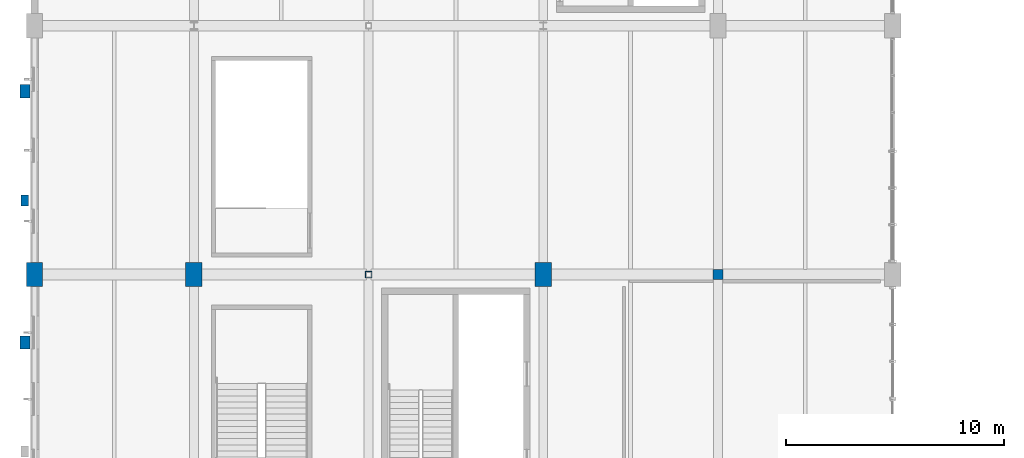
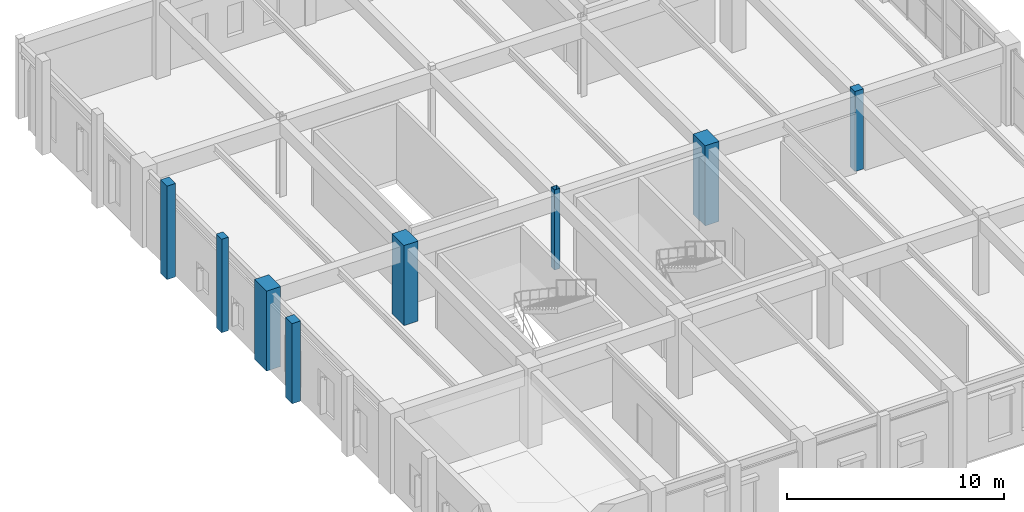
# One storey, part 2 of 48: 8 columns.
"""IFC4 building model written with IfcOpenShell, lengths in metres."""

from ifc_helpers import new_model, si_unit, direction, frame, origin, origin_2d, place, context, subcontext, project, spatial, rectangle, hollow_rectangle, extrude, material, material_profile, profile_set, type_object, element, save


model = new_model("IFC4")

# Units and contexts
model_context = context("Model", 3, precision=1e-05, world=origin(), true_north=direction((0.0, 1.0)))
body_context = subcontext(model_context, "Body", "Model", "MODEL_VIEW")
ifc_project = project(units=[si_unit("LENGTHUNIT", "METRE"), si_unit("AREAUNIT", "SQUARE_METRE"), si_unit("VOLUMEUNIT", "CUBIC_METRE"), si_unit("PLANEANGLEUNIT", "RADIAN"), si_unit("MASSUNIT", "GRAM", prefix="KILO"), si_unit("POWERUNIT", "WATT"), si_unit("THERMODYNAMICTEMPERATUREUNIT", "KELVIN")], contexts=[model_context])

# Site, building, storey
site_placement = place(None, origin())
site = spatial("IfcSite", under=ifc_project, at=site_placement, CompositionType="ELEMENT")
building_placement = place(site_placement, origin())
building = spatial("IfcBuilding", under=site, at=building_placement, Name="Kelmbourne Parkland Aquatics Centre", CompositionType="ELEMENT")
storey_placement = place(building_placement, frame((0.0, 0.0, 14.699951171875)))
storey = spatial("IfcBuildingStorey", under=building, at=storey_placement, Name="L03", CompositionType="ELEMENT", Elevation=14.699951171875)

# Columns
ifc_material_1 = material(Name="Concrete C40/50", Category="concrete")
ifc_material_profile_1 = material_profile(ifc_material_1, rectangle(XDim=0.75, YDim=1.10009765625, at=origin_2d()), Name="RC 750x1100")
ifc_profile_set_1 = profile_set([ifc_material_profile_1], Name="Concrete C40/50")
column_type_1 = type_object("IfcColumnType", Name="COL-C03", PredefinedType="COLUMN", material=ifc_profile_set_1)
for number, where, z_axis, x_axis, name in (
    (1, (0.699951171875, 23.60009765625, 0.0), (0.0, 0.0, 1.0), (1.0, 0.0, 0.0), "Structural column A-04 (L03)"),
    (2, (8.0, 23.60009765625, 0.0), (0.0, 0.0, 1.0), (1.0, 0.0, 0.0), "Structural column B-04 (L03)"),
    (3, (24.0, 23.60009765625, 0.0), (0.0, 0.0, 1.0), (1.0, 0.0, 0.0), "Structural column D-04 (L03)"),
):
    element("IfcColumn", number, at=place(storey_placement, frame(where, z_axis=z_axis, x_axis=x_axis)), inside=storey, type_object=column_type_1, Name=name, PredefinedType="COLUMN", context=body_context, shape_type="SweptSolid", body=[
        extrude(rectangle(XDim=0.75, YDim=1.10009765625, at=origin_2d()), origin(), (0.0, 0.0, 1.0), 4.5),
    ])
ifc_material_profile_2 = material_profile(ifc_material_1, rectangle(XDim=0.449951171875, YDim=0.449951171875, at=origin_2d()), Name="RC 450x450")
ifc_profile_set_2 = profile_set([ifc_material_profile_2], Name="Concrete C40/50")
column_type_2 = type_object("IfcColumnType", Name="COL-C08", PredefinedType="COLUMN", material=ifc_profile_set_2)
column_1_placement = place(storey_placement, frame((32.0, 23.60009765625, 0.0), z_axis=(0.0, 0.0, 1.0), x_axis=(1.0, 0.0, 0.0)))
element("IfcColumn", 4, at=column_1_placement, inside=storey, type_object=column_type_2, Name="Structural column E-04 (L03)", PredefinedType="COLUMN", context=body_context, shape_type="SweptSolid", body=[
    extrude(rectangle(XDim=0.449951171875, YDim=0.449951171875, at=origin_2d()), origin(), (0.0, 0.0, 1.0), 4.5),
])
ifc_material_2 = material(Name="Cold-formed hollow steel AS/NZS 1163 C350L0", Category="steel")
ifc_material_profile_3 = material_profile(ifc_material_2, hollow_rectangle(XDim=0.300048828125, YDim=0.300048828125, WallThickness=0.012451171875, at=origin_2d()), Name="SHS 300x300x12.5")
ifc_profile_set_3 = profile_set([ifc_material_profile_3], Name="Cold-formed hollow steel AS/NZS 1163 C350L0")
column_type_3 = type_object("IfcColumnType", Name="COL-C22", PredefinedType="COLUMN", material=ifc_profile_set_3)
column_2_placement = place(storey_placement, frame((16.0, 23.60009765625, 0.0), z_axis=(0.0, 0.0, 1.0), x_axis=(1.0, 0.0, 0.0)))
element("IfcColumn", 5, at=column_2_placement, inside=storey, type_object=column_type_3, Name="Structural column C-04 (L03)", PredefinedType="COLUMN", context=body_context, shape_type="SweptSolid", body=[
    extrude(hollow_rectangle(XDim=0.300048828125, YDim=0.300048828125, WallThickness=0.012451171875, at=origin_2d()), origin(), (0.0, 0.0, 1.0), 4.5),
])
ifc_material_3 = material(Name="Clay brick masonry AS 3700 M12", Category="masonry")
ifc_material_profile_4 = material_profile(ifc_material_3, rectangle(XDim=0.35009765625, YDim=0.5, at=origin_2d()), Name="PIL 350x500")
ifc_profile_set_4 = profile_set([ifc_material_profile_4], Name="Clay brick masonry AS 3700 M12")
column_type_4 = type_object("IfcColumnType", Name="PIL-PL1", PredefinedType="PILASTER", material=ifc_profile_set_4)
column_3_placement = place(storey_placement, frame((0.260009765625, 27.0, 0.0), z_axis=(0.0, 0.0, 1.0), x_axis=(1.0, 0.0, 0.0)))
element("IfcColumn", 6, at=column_3_placement, inside=storey, type_object=column_type_4, Name="Amsterdam School engaged brick buttress W-005 (L03)", PredefinedType="PILASTER", context=body_context, shape_type="SweptSolid", body=[
    extrude(rectangle(XDim=0.35009765625, YDim=0.5, at=origin_2d()), origin(), (0.0, 0.0, 1.0), 5.25),
])
ifc_material_profile_5 = material_profile(ifc_material_3, rectangle(XDim=0.449951171875, YDim=0.60009765625, at=origin_2d()), Name="PIL 450x600")
ifc_profile_set_5 = profile_set([ifc_material_profile_5], Name="Clay brick masonry AS 3700 M12")
column_type_5 = type_object("IfcColumnType", Name="PIL-PL2", PredefinedType="PILASTER", material=ifc_profile_set_5)
column_4_placement = place(storey_placement, frame((0.260009765625, 20.5, 0.0), z_axis=(0.0, 0.0, 1.0), x_axis=(1.0, 0.0, 0.0)))
element("IfcColumn", 7, at=column_4_placement, inside=storey, type_object=column_type_5, Name="Amsterdam School engaged brick buttress W-004 (L03)", PredefinedType="PILASTER", context=body_context, shape_type="SweptSolid", body=[
    extrude(rectangle(XDim=0.449951171875, YDim=0.60009765625, at=origin_2d()), origin(), (0.0, 0.0, 1.0), 4.5),
])
column_5_placement = place(storey_placement, frame((0.260009765625, 32.0, 0.0), z_axis=(0.0, 0.0, 1.0), x_axis=(1.0, 0.0, 0.0)))
element("IfcColumn", 8, at=column_5_placement, inside=storey, type_object=column_type_5, Name="Amsterdam School engaged brick buttress W-006 (L03)", PredefinedType="PILASTER", context=body_context, shape_type="SweptSolid", body=[
    extrude(rectangle(XDim=0.449951171875, YDim=0.60009765625, at=origin_2d()), origin(), (0.0, 0.0, 1.0), 5.25),
])

save(model, "model.ifc")
